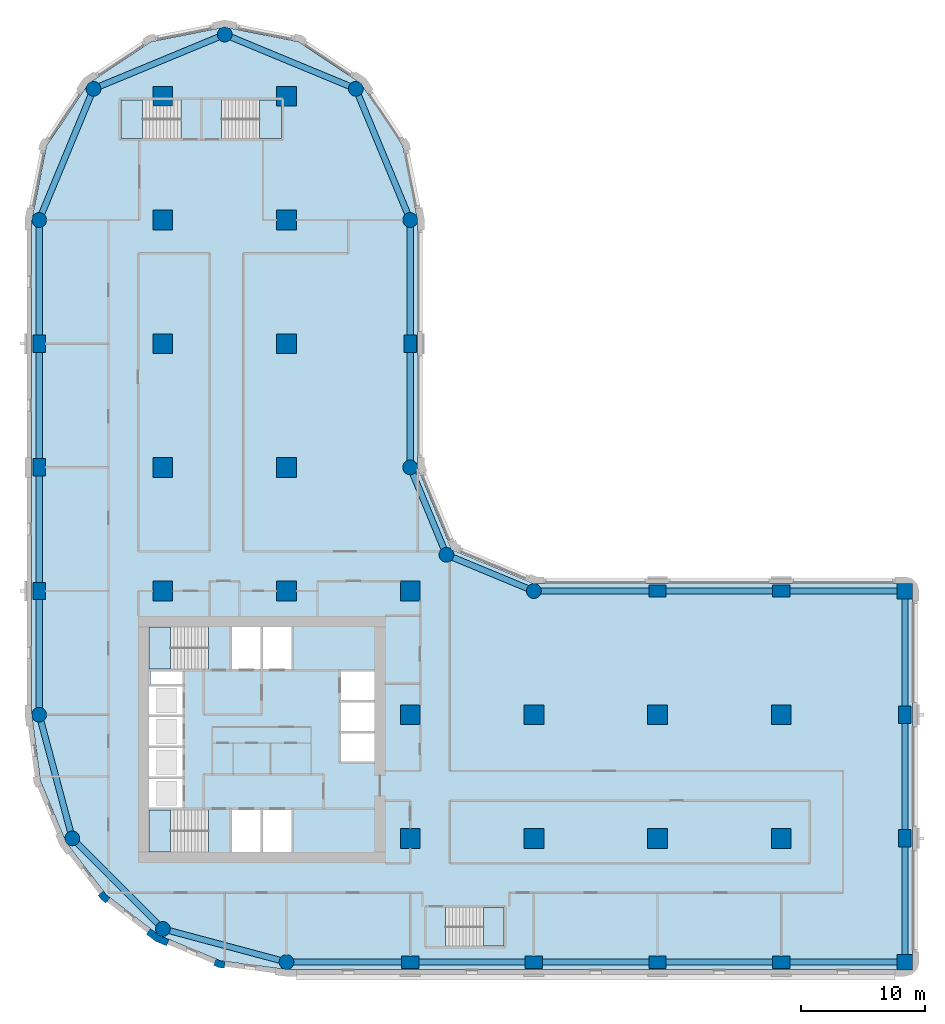
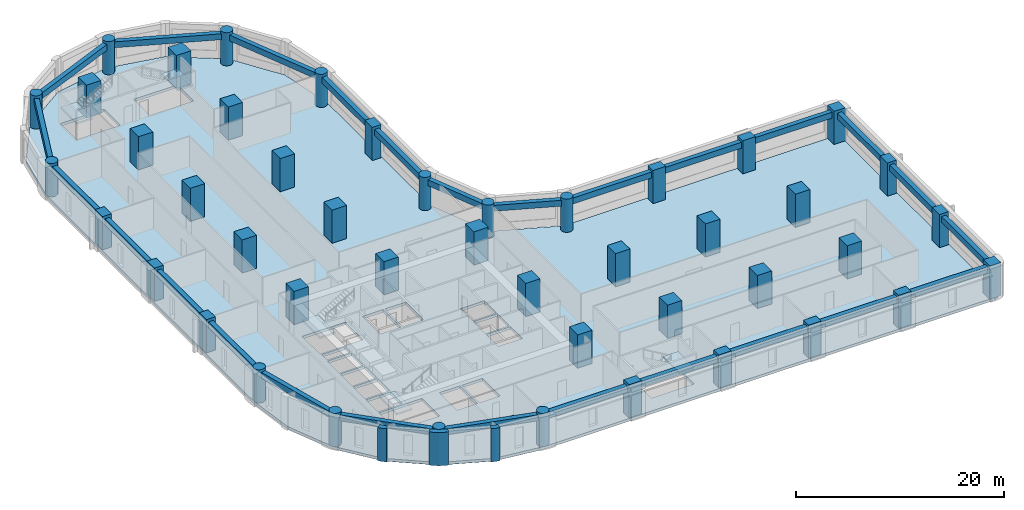
# One storey, part 1 of 10: 45 columns, 26 beams, 6 slabs, 3 walls, 5 elements without a shape of their own.
"""IFC4 building model written with IfcOpenShell, lengths in metres."""

from ifc_helpers import new_model, si_unit, direction, frame, origin, origin_2d, place, context, subcontext, project, spatial, polyline, rectangle, circle, outline, extrude, material, layer, layer_set, material_profile, profile_set, type_object, element, aggregate, save


model = new_model("IFC4")

# Units and contexts
model_context = context("Model", 3, precision=1e-05, world=origin(), true_north=direction((0.0, 1.0)))
body_context = subcontext(model_context, "Body", "Model", "MODEL_VIEW")
ifc_project = project(units=[si_unit("LENGTHUNIT", "METRE"), si_unit("AREAUNIT", "SQUARE_METRE"), si_unit("VOLUMEUNIT", "CUBIC_METRE"), si_unit("PLANEANGLEUNIT", "RADIAN"), si_unit("MASSUNIT", "GRAM", prefix="KILO")], contexts=[model_context])

# Site, building, storey
site_placement = place(None, origin())
site = spatial("IfcSite", under=ifc_project, at=site_placement, CompositionType="ELEMENT")
building_placement = place(site_placement, origin())
building = spatial("IfcBuilding", under=site, at=building_placement, Name="Qaws Garden Tower", CompositionType="ELEMENT")
storey_placement = place(building_placement, frame((0.0, 0.0, 54.89990234375)))
storey = spatial("IfcBuildingStorey", under=building, at=storey_placement, Name="L13", CompositionType="ELEMENT", Elevation=54.89990234375)

# Columns
ifc_material_1 = material(Name="Concrete C80", Category="concrete")
ifc_material_profile_1 = material_profile(ifc_material_1, rectangle(XDim=1.25, YDim=1.25, at=origin_2d()), Name="RC 1250x1250")
ifc_profile_set_1 = profile_set([ifc_material_profile_1], Name="Concrete C80")
column_type_1 = type_object("IfcColumnType", Name="Column RC 1250x1250 C80", PredefinedType="COLUMN", material=ifc_profile_set_1)
for number, where, z_axis, x_axis, name in (
    (1, (70.0, 0.0, 0.0), (0.0, 0.0, 1.0), (1.0, 0.0, 0.0), "Column L13-006"),
    (2, (70.0, 30.0, 0.0), (0.0, 0.0, 1.0), (1.0, 0.0, 0.0), "Column L13-009"),
):
    element("IfcColumn", number, at=place(storey_placement, frame(where, z_axis=z_axis, x_axis=x_axis)), inside=storey, type_object=column_type_1, Name=name, PredefinedType="COLUMN", context=body_context, shape_type="SweptSolid", body=[
        extrude(rectangle(XDim=1.25, YDim=1.25, at=origin_2d()), origin(), (0.0, 0.0, 1.0), 3.900146484375),
    ])
ifc_material_2 = material(Name="Concrete C80", Category="concrete")
ifc_material_profile_2 = material_profile(ifc_material_2, rectangle(XDim=1.39990234375, YDim=1.0, at=origin_2d()), Name="RC 1400x1000")
ifc_profile_set_2 = profile_set([ifc_material_profile_2], Name="Concrete C80")
column_type_2 = type_object("IfcColumnType", Name="Column RC 1400x1000 C80", PredefinedType="COLUMN", material=ifc_profile_set_2)
for number, where, z_axis, x_axis, name in (
    (3, (30.0, 0.0, 0.0), (0.0, 0.0, 1.0), (1.0, 0.0, 0.0), "Column L13-002"),
    (4, (40.0, 0.0, 0.0), (0.0, 0.0, 1.0), (1.0, 0.0, 0.0), "Column L13-003"),
    (5, (50.0, 0.0, 0.0), (0.0, 0.0, 1.0), (1.0, 0.0, 0.0), "Column L13-004"),
    (6, (60.0, 0.0, 0.0), (0.0, 0.0, 1.0), (1.0, 0.0, 0.0), "Column L13-005"),
    (7, (70.0, 10.0, 0.0), (0.0, 0.0, 1.0), (0.0, 1.0, 0.0), "Column L13-007"),
    (8, (70.0, 20.0, 0.0), (0.0, 0.0, 1.0), (0.0, 1.0, 0.0), "Column L13-008"),
    (9, (60.0, 30.0, 0.0), (0.0, 0.0, 1.0), (1.0, 0.0, 0.0), "Column L13-010"),
    (10, (50.0, 30.0, 0.0), (0.0, 0.0, 1.0), (1.0, 0.0, 0.0), "Column L13-011"),
    (11, (30.0, 50.0, 0.0), (0.0, 0.0, 1.0), (0.0, 1.0, 0.0), "Column L13-015"),
    (12, (0.0, 50.0, 0.0), (0.0, 0.0, 1.0), (0.0, 1.0, 0.0), "Column L13-021"),
    (13, (0.0, 40.0, 0.0), (0.0, 0.0, 1.0), (0.0, 1.0, 0.0), "Column L13-022"),
    (14, (0.0, 30.0, 0.0), (0.0, 0.0, 1.0), (0.0, 1.0, 0.0), "Column L13-023"),
):
    element("IfcColumn", number, at=place(storey_placement, frame(where, z_axis=z_axis, x_axis=x_axis)), inside=storey, type_object=column_type_2, Name=name, PredefinedType="COLUMN", context=body_context, shape_type="SweptSolid", body=[
        extrude(rectangle(XDim=1.39990234375, YDim=1.0, at=origin_2d()), origin(), (0.0, 0.0, 1.0), 3.900146484375),
    ])
ifc_material_3 = material(Name="Concrete C80", Category="concrete")
ifc_material_profile_3 = material_profile(ifc_material_3, rectangle(XDim=1.60009765625, YDim=1.60009765625, at=origin_2d()), Name="RC 1600x1600")
ifc_profile_set_3 = profile_set([ifc_material_profile_3], Name="Concrete C80")
column_type_3 = type_object("IfcColumnType", Name="Column RC 1600x1600 C80", PredefinedType="COLUMN", material=ifc_profile_set_3)
for number, where, z_axis, x_axis, name in (
    (15, (10.0, 30.0, 0.0), (0.0, 0.0, 1.0), (1.0, 0.0, 0.0), "Column L13-027"),
    (16, (10.0, 40.0, 0.0), (0.0, 0.0, 1.0), (1.0, 0.0, 0.0), "Column L13-028"),
    (17, (10.0, 50.0, 0.0), (0.0, 0.0, 1.0), (1.0, 0.0, 0.0), "Column L13-029"),
    (18, (10.0, 60.0, 0.0), (0.0, 0.0, 1.0), (1.0, 0.0, 0.0), "Column L13-030"),
    (19, (10.0, 70.0, 0.0), (0.0, 0.0, 1.0), (1.0, 0.0, 0.0), "Column L13-031"),
    (20, (20.0, 30.0, 0.0), (0.0, 0.0, 1.0), (1.0, 0.0, 0.0), "Column L13-032"),
    (21, (20.0, 40.0, 0.0), (0.0, 0.0, 1.0), (1.0, 0.0, 0.0), "Column L13-033"),
    (22, (20.0, 50.0, 0.0), (0.0, 0.0, 1.0), (1.0, 0.0, 0.0), "Column L13-034"),
    (23, (20.0, 60.0, 0.0), (0.0, 0.0, 1.0), (1.0, 0.0, 0.0), "Column L13-035"),
    (24, (20.0, 70.0, 0.0), (0.0, 0.0, 1.0), (1.0, 0.0, 0.0), "Column L13-036"),
    (25, (30.0, 10.0, 0.0), (0.0, 0.0, 1.0), (1.0, 0.0, 0.0), "Column L13-037"),
    (26, (30.0, 20.0, 0.0), (0.0, 0.0, 1.0), (1.0, 0.0, 0.0), "Column L13-038"),
    (27, (30.0, 30.0, 0.0), (0.0, 0.0, 1.0), (1.0, 0.0, 0.0), "Column L13-039"),
    (28, (40.0, 10.0, 0.0), (0.0, 0.0, 1.0), (1.0, 0.0, 0.0), "Column L13-040"),
    (29, (40.0, 20.0, 0.0), (0.0, 0.0, 1.0), (1.0, 0.0, 0.0), "Column L13-041"),
    (30, (50.0, 10.0, 0.0), (0.0, 0.0, 1.0), (1.0, 0.0, 0.0), "Column L13-042"),
    (31, (50.0, 20.0, 0.0), (0.0, 0.0, 1.0), (1.0, 0.0, 0.0), "Column L13-043"),
    (32, (60.0, 10.0, 0.0), (0.0, 0.0, 1.0), (1.0, 0.0, 0.0), "Column L13-044"),
    (33, (60.0, 20.0, 0.0), (0.0, 0.0, 1.0), (1.0, 0.0, 0.0), "Column L13-045"),
):
    element("IfcColumn", number, at=place(storey_placement, frame(where, z_axis=z_axis, x_axis=x_axis)), inside=storey, type_object=column_type_3, Name=name, PredefinedType="COLUMN", context=body_context, shape_type="SweptSolid", body=[
        extrude(rectangle(XDim=1.60009765625, YDim=1.60009765625, at=origin_2d()), origin(), (0.0, 0.0, 1.0), 3.900146484375),
    ])
ifc_material_4 = material(Name="Concrete C80", Category="concrete")
ifc_material_profile_4 = material_profile(ifc_material_4, circle(Radius=0.60009765625, at=origin_2d()), Name="RC D1200")
ifc_profile_set_4 = profile_set([ifc_material_profile_4], Name="Concrete C80")
column_type_4 = type_object("IfcColumnType", Name="Column RC D1200 C80", PredefinedType="COLUMN", material=ifc_profile_set_4)
for number, where, z_axis, x_axis, name in (
    (34, (20.0, 0.0, 0.0), (0.0, 0.0, 1.0), (1.0, 0.0, 0.0), "Column L13-001"),
    (35, (40.0, 30.0, 0.0), (0.0, 0.0, 1.0), (1.0, 0.0, 0.0), "Column L13-012"),
    (36, (32.928955078125, 32.928955078125, 0.0), (0.0, 0.0, 1.0), (1.0, 0.0, 0.0), "Column L13-013"),
    (37, (30.0, 40.0, 0.0), (0.0, 0.0, 1.0), (1.0, 0.0, 0.0), "Column L13-014"),
    (38, (30.0, 60.0, 0.0), (0.0, 0.0, 1.0), (1.0, 0.0, 0.0), "Column L13-016"),
    (39, (25.606689453125, 70.606689453125, 0.0), (0.0, 0.0, 1.0), (1.0, 0.0, 0.0), "Column L13-017"),
    (40, (15.0, 75.0, 0.0), (0.0, 0.0, 1.0), (1.0, 0.0, 0.0), "Column L13-018"),
    (41, (4.393310546875, 70.606689453125, 0.0), (0.0, 0.0, 1.0), (1.0, 0.0, 0.0), "Column L13-019"),
    (42, (0.0, 60.0, 0.0), (0.0, 0.0, 1.0), (1.0, 0.0, 0.0), "Column L13-020"),
    (43, (0.0, 20.0, 0.0), (0.0, 0.0, 1.0), (1.0, 0.0, 0.0), "Column L13-024"),
    (44, (2.679443359375, 10.0, 0.0), (0.0, 0.0, 1.0), (1.0, 0.0, 0.0), "Column L13-025"),
    (45, (10.0, 2.679443359375, 0.0), (0.0, 0.0, 1.0), (1.0, 0.0, 0.0), "Column L13-026"),
):
    element("IfcColumn", number, at=place(storey_placement, frame(where, z_axis=z_axis, x_axis=x_axis)), inside=storey, type_object=column_type_4, Name=name, PredefinedType="COLUMN", context=body_context, shape_type="SweptSolid", body=[
        extrude(circle(Radius=0.60009765625, at=origin_2d()), origin(), (0.0, 0.0, 1.0), 3.900146484375),
    ])

# Beams
ifc_material_5 = material(Name="Concrete C45", Category="concrete")
ifc_material_profile_5 = material_profile(ifc_material_5, rectangle(XDim=0.5, YDim=0.699951171875, at=origin_2d()), Name="RC 500x700")
ifc_profile_set_5 = profile_set([ifc_material_profile_5], Name="Concrete C45")
beam_type = type_object("IfcBeamType", Name="Spandrel beam RC 500x700 C45", PredefinedType="SPANDREL", material=ifc_profile_set_5)
for number, where, z_axis, x_axis, name in (
    (46, (20.0, 0.0, 3.22998046875), (1.0, 0.0, 0.0), (0.0, 1.0, 0.0), "Spandrel beam L13-001"),
    (47, (30.0, 0.0, 3.22998046875), (1.0, 0.0, 0.0), (0.0, 1.0, 0.0), "Spandrel beam L13-002"),
    (48, (40.0, 0.0, 3.22998046875), (1.0, 0.0, 0.0), (0.0, 1.0, 0.0), "Spandrel beam L13-003"),
    (49, (50.0, 0.0, 3.22998046875), (1.0, 0.0, 0.0), (0.0, 1.0, 0.0), "Spandrel beam L13-004"),
    (50, (60.0, 0.0, 3.22998046875), (1.0, 0.0, 0.0), (0.0, 1.0, 0.0), "Spandrel beam L13-005"),
    (51, (70.0, 0.0, 3.22998046875), (0.0, 1.0, 0.0), (-1.0, 0.0, 0.0), "Spandrel beam L13-006"),
    (52, (70.0, 10.0, 3.22998046875), (0.0, 1.0, 0.0), (-1.0, 0.0, 0.0), "Spandrel beam L13-007"),
    (53, (70.0, 20.0, 3.22998046875), (0.0, 1.0, 0.0), (-1.0, 0.0, 0.0), "Spandrel beam L13-008"),
    (54, (70.0, 30.0, 3.22998046875), (-1.0, 0.0, 0.0), (0.0, -1.0, 0.0), "Spandrel beam L13-009"),
    (55, (60.0, 30.0, 3.22998046875), (-1.0, 0.0, 0.0), (0.0, -1.0, 0.0), "Spandrel beam L13-010"),
    (56, (50.0, 30.0, 3.22998046875), (-1.0, 0.0, 0.0), (0.0, -1.0, 0.0), "Spandrel beam L13-011"),
):
    element("IfcBeam", number, at=place(storey_placement, frame(where, z_axis=z_axis, x_axis=x_axis)), inside=storey, type_object=beam_type, Name=name, PredefinedType="SPANDREL", context=body_context, shape_type="SweptSolid", body=[
        extrude(rectangle(XDim=0.5, YDim=0.699951171875, at=origin_2d()), origin(), (0.0, 0.0, 1.0), 10.0),
    ])
for number, where, z_axis, x_axis, name in (
    (57, (40.0, 30.0, 3.22998046875), (-0.923878037141, 0.382687042488, 0.0), (-0.382687042488, -0.923878037141, 0.0), "Spandrel beam L13-012"),
    (58, (32.928955078125, 32.928955078125, 3.22998046875), (-0.382687042488, 0.923878037141, 0.0), (-0.923878037141, -0.382687042488, 0.0), "Spandrel beam L13-013"),
):
    element("IfcBeam", number, at=place(storey_placement, frame(where, z_axis=z_axis, x_axis=x_axis)), inside=storey, type_object=beam_type, Name=name, PredefinedType="SPANDREL", context=body_context, shape_type="SweptSolid", body=[
        extrude(rectangle(XDim=0.5, YDim=0.699951171875, at=origin_2d()), origin(), (0.0, 0.0, 1.0), 7.653564453125),
    ])
for number, where, z_axis, x_axis, name in (
    (59, (30.0, 40.0, 3.22998046875), (0.0, 1.0, 0.0), (-1.0, 0.0, 0.0), "Spandrel beam L13-014"),
    (60, (30.0, 50.0, 3.22998046875), (0.0, 1.0, 0.0), (-1.0, 0.0, 0.0), "Spandrel beam L13-015"),
):
    element("IfcBeam", number, at=place(storey_placement, frame(where, z_axis=z_axis, x_axis=x_axis)), inside=storey, type_object=beam_type, Name=name, PredefinedType="SPANDREL", context=body_context, shape_type="SweptSolid", body=[
        extrude(rectangle(XDim=0.5, YDim=0.699951171875, at=origin_2d()), origin(), (0.0, 0.0, 1.0), 10.0),
    ])
for number, where, z_axis, x_axis, name in (
    (61, (30.0, 60.0, 3.22998046875), (-0.382674207535, 0.923883353507, 0.0), (-0.923883353507, -0.382674207535, 0.0), "Spandrel beam L13-016"),
    (62, (25.606689453125, 70.606689453125, 3.22998046875), (-0.923883353507, 0.382674207535, 0.0), (-0.382674207535, -0.923883353507, 0.0), "Spandrel beam L13-017"),
    (63, (15.0, 75.0, 3.22998046875), (-0.923883353507, -0.382674207535, 0.0), (0.382674207535, -0.923883353507, 0.0), "Spandrel beam L13-018"),
    (64, (4.393310546875, 70.606689453125, 3.22998046875), (-0.382674207535, -0.923883353507, 0.0), (0.923883353507, -0.382674207535, 0.0), "Spandrel beam L13-019"),
):
    element("IfcBeam", number, at=place(storey_placement, frame(where, z_axis=z_axis, x_axis=x_axis)), inside=storey, type_object=beam_type, Name=name, PredefinedType="SPANDREL", context=body_context, shape_type="SweptSolid", body=[
        extrude(rectangle(XDim=0.5, YDim=0.699951171875, at=origin_2d()), origin(), (0.0, 0.0, 1.0), 11.48046875),
    ])
for number, where, z_axis, x_axis, name in (
    (65, (0.0, 60.0, 3.22998046875), (0.0, -1.0, 0.0), (1.0, 0.0, 0.0), "Spandrel beam L13-020"),
    (66, (0.0, 50.0, 3.22998046875), (0.0, -1.0, 0.0), (1.0, 0.0, 0.0), "Spandrel beam L13-021"),
    (67, (0.0, 40.0, 3.22998046875), (0.0, -1.0, 0.0), (1.0, 0.0, 0.0), "Spandrel beam L13-022"),
    (68, (0.0, 30.0, 3.22998046875), (0.0, -1.0, 0.0), (1.0, 0.0, 0.0), "Spandrel beam L13-023"),
):
    element("IfcBeam", number, at=place(storey_placement, frame(where, z_axis=z_axis, x_axis=x_axis)), inside=storey, type_object=beam_type, Name=name, PredefinedType="SPANDREL", context=body_context, shape_type="SweptSolid", body=[
        extrude(rectangle(XDim=0.5, YDim=0.699951171875, at=origin_2d()), origin(), (0.0, 0.0, 1.0), 10.0),
    ])
for number, where, z_axis, x_axis, name in (
    (69, (0.0, 20.0, 3.22998046875), (0.25881466832, -0.965926999034, 0.0), (0.965926999034, 0.25881466832, 0.0), "Spandrel beam L13-024"),
    (70, (2.679443359375, 10.0, 3.22998046875), (0.707106781187, -0.707106781187, 0.0), (0.707106781187, 0.707106781187, 0.0), "Spandrel beam L13-025"),
    (71, (10.0, 2.679443359375, 3.22998046875), (0.965926999034, -0.25881466832, 0.0), (0.25881466832, 0.965926999034, 0.0), "Spandrel beam L13-026"),
):
    element("IfcBeam", number, at=place(storey_placement, frame(where, z_axis=z_axis, x_axis=x_axis)), inside=storey, type_object=beam_type, Name=name, PredefinedType="SPANDREL", context=body_context, shape_type="SweptSolid", body=[
        extrude(rectangle(XDim=0.5, YDim=0.699951171875, at=origin_2d()), origin(), (0.0, 0.0, 1.0), 10.352783203125),
    ])

# Slab
ifc_material_6 = material(Name="Concrete C40", Category="concrete")
ifc_layer_1 = layer(ifc_material_6, 0.320068359375)
ifc_layer_set_1 = layer_set([ifc_layer_1], Name="Concrete C40")
slab_type_1 = type_object("IfcSlabType", Name="Floor slab 320 C40", PredefinedType="FLOOR", material=ifc_layer_set_1)
slab_1_placement = place(storey_placement, frame((0.0, 0.0, -0.31982421875)))
element("IfcSlab", 72, at=slab_1_placement, inside=storey, type_object=slab_type_1, Name="Floor slab L13", PredefinedType="FLOOR", context=body_context, shape_type="SweptSolid", body=[
    extrude(outline(polyline([(0.101806640625, 14.668212890625), (-0.60009765625, 20.0), (-0.60009765625, 30.60009765625), (-0.60009765625, 60.0), (-0.60009765625, 60.0), (0.58740234375, 65.969970703125), (3.968994140625, 71.031005859375), (9.030029296875, 74.41259765625), (15.0, 75.60009765625), (20.969970703125, 74.41259765625), (26.031005859375, 71.031005859375), (29.41259765625, 65.969970703125), (30.60009765625, 60.0), (30.60009765625, 40.0), (33.353271484375, 33.353271484375), (40.0, 30.60009765625), (70.0, 30.60009765625), (70.42431640625, 30.42431640625), (70.60009765625, 30.0), (70.60009765625, 0.0), (70.42431640625, -0.42431640625), (70.0, -0.60009765625), (30.60009765625, -0.60009765625), (20.0, -0.60009765625), (14.668212890625, 0.101806640625), (9.699951171875, 2.159912109375), (5.43359375, 5.43359375), (2.159912109375, 9.699951171875), (0.101806640625, 14.668212890625)]), holes=[polyline([(13.699462890625, 12.300048828125), (8.89990234375, 12.300048828125), (8.89990234375, 8.89990234375), (13.699462890625, 8.89990234375), (13.699462890625, 12.300048828125)]), polyline([(17.89990234375, 12.300048828125), (15.60009765625, 12.300048828125), (15.60009765625, 8.89990234375), (17.89990234375, 8.89990234375), (17.89990234375, 12.300048828125)]), polyline([(11.60009765625, 14.800048828125), (8.89990234375, 14.800048828125), (8.89990234375, 12.5), (11.60009765625, 12.5), (11.60009765625, 14.800048828125)]), polyline([(11.60009765625, 17.300048828125), (8.89990234375, 17.300048828125), (8.89990234375, 15.0), (11.60009765625, 15.0), (11.60009765625, 17.300048828125)]), polyline([(11.60009765625, 19.800048828125), (8.89990234375, 19.800048828125), (8.89990234375, 17.5), (11.60009765625, 17.5), (11.60009765625, 19.800048828125)]), polyline([(11.60009765625, 22.300048828125), (8.89990234375, 22.300048828125), (8.89990234375, 20.0), (11.60009765625, 20.0), (11.60009765625, 22.300048828125)]), polyline([(11.60009765625, 23.5), (9.0, 23.5), (9.0, 22.5), (11.60009765625, 22.5), (11.60009765625, 23.5)]), polyline([(13.699462890625, 27.10009765625), (8.89990234375, 27.10009765625), (8.89990234375, 23.699951171875), (13.699462890625, 23.699951171875), (13.699462890625, 27.10009765625)]), polyline([(11.449462890625, 69.699951171875), (6.60009765625, 69.699951171875), (6.60009765625, 66.60009765625), (11.449462890625, 66.60009765625), (11.449462890625, 69.699951171875)]), polyline([(37.60009765625, 4.39990234375), (32.8505859375, 4.39990234375), (32.8505859375, 1.300048828125), (37.60009765625, 1.300048828125), (37.60009765625, 4.39990234375)]), polyline([(20.39990234375, 12.300048828125), (18.10009765625, 12.300048828125), (18.10009765625, 8.89990234375), (20.39990234375, 8.89990234375), (20.39990234375, 12.300048828125)]), polyline([(27.10009765625, 18.5), (24.39990234375, 18.5), (24.39990234375, 16.199951171875), (27.10009765625, 16.199951171875), (27.10009765625, 18.5)]), polyline([(27.10009765625, 21.0), (24.39990234375, 21.0), (24.39990234375, 18.699951171875), (27.10009765625, 18.699951171875), (27.10009765625, 21.0)]), polyline([(27.10009765625, 23.5), (24.39990234375, 23.5), (24.39990234375, 21.199951171875), (27.10009765625, 21.199951171875), (27.10009765625, 23.5)]), polyline([(17.89990234375, 27.10009765625), (15.60009765625, 27.10009765625), (15.60009765625, 23.699951171875), (17.89990234375, 23.699951171875), (17.89990234375, 27.10009765625)]), polyline([(20.39990234375, 23.699951171875), (20.39990234375, 27.10009765625), (18.10009765625, 27.10009765625), (18.10009765625, 23.699951171875), (20.39990234375, 23.699951171875)]), polyline([(19.60009765625, 66.60009765625), (19.60009765625, 69.699951171875), (14.75048828125, 69.699951171875), (14.75048828125, 66.60009765625), (19.60009765625, 66.60009765625)])]), origin(), (0.0, 0.0, 1.0), 0.31982421875),
])

# Stair, slab
ifc_material_7 = material(Name="Concrete C40", Category="concrete")
stair_type_1 = type_object("IfcStairType", Name="Exit stair 1500", PredefinedType="HALF_TURN_STAIR", material=ifc_material_7)
placement_1 = place(storey_placement, origin())
stair_1 = element("IfcStair", 73, at=placement_1, inside=storey, type_object=stair_type_1, Name="Stair 1", PredefinedType="HALF_TURN_STAIR")
ifc_material_8 = material(Name="Concrete C40", Category="concrete")
ifc_layer_2 = layer(ifc_material_8, 0.199951171875)
ifc_layer_set_2 = layer_set([ifc_layer_2], Name="Concrete C40")
slab_type_2 = type_object("IfcSlabType", Name="Stair landing 200", PredefinedType="LANDING", material=ifc_layer_set_2)
placement_2 = place(storey_placement, frame((0.0, 0.0, 1.75)))
slab_2 = element("IfcSlab", 74, at=placement_2, type_object=slab_type_2, Name="ST1 landing 1", PredefinedType="LANDING", context=body_context, shape_type="SweptSolid", body=[
    extrude(outline(polyline([(8.89990234375, 8.89990234375), (10.6201171875, 8.89990234375), (10.6201171875, 12.300048828125), (8.89990234375, 12.300048828125), (8.89990234375, 8.89990234375)])), origin(), (0.0, 0.0, 1.0), 0.2001953125),
])
aggregate(stair_1, [slab_2])

stair_2 = element("IfcStair", 75, at=placement_1, inside=storey, type_object=stair_type_1, Name="Stair 4", PredefinedType="HALF_TURN_STAIR")
slab_3 = element("IfcSlab", 76, at=placement_2, type_object=slab_type_2, Name="ST4 landing 1", PredefinedType="LANDING", context=body_context, shape_type="SweptSolid", body=[
    extrude(outline(polyline([(8.89990234375, 23.699951171875), (10.6201171875, 23.699951171875), (10.6201171875, 27.10009765625), (8.89990234375, 27.10009765625), (8.89990234375, 23.699951171875)])), origin(), (0.0, 0.0, 1.0), 0.2001953125),
])
aggregate(stair_2, [slab_3])

ifc_material_9 = material(Name="Concrete C40", Category="concrete")
stair_type_2 = type_object("IfcStairType", Name="Exit stair 1350", PredefinedType="HALF_TURN_STAIR", material=ifc_material_9)
stair_3 = element("IfcStair", 77, at=placement_1, inside=storey, type_object=stair_type_2, Name="Stair 5", PredefinedType="HALF_TURN_STAIR")
slab_4 = element("IfcSlab", 78, at=placement_2, type_object=slab_type_2, Name="ST5 landing 1", PredefinedType="LANDING", context=body_context, shape_type="SweptSolid", body=[
    extrude(outline(polyline([(35.929931640625, 1.300048828125), (37.60009765625, 1.300048828125), (37.60009765625, 4.39990234375), (35.929931640625, 4.39990234375), (35.929931640625, 1.300048828125)])), origin(), (0.0, 0.0, 1.0), 0.2001953125),
])
aggregate(stair_3, [slab_4])

stair_4 = element("IfcStair", 79, at=placement_1, inside=storey, type_object=stair_type_2, Name="Stair 6", PredefinedType="HALF_TURN_STAIR")
slab_5 = element("IfcSlab", 80, at=placement_2, type_object=slab_type_2, Name="ST6 landing 1", PredefinedType="LANDING", context=body_context, shape_type="SweptSolid", body=[
    extrude(outline(polyline([(6.60009765625, 66.60009765625), (8.3701171875, 66.60009765625), (8.3701171875, 69.699951171875), (6.60009765625, 69.699951171875), (6.60009765625, 66.60009765625)])), origin(), (0.0, 0.0, 1.0), 0.2001953125),
])
aggregate(stair_4, [slab_5])

stair_5 = element("IfcStair", 81, at=placement_1, inside=storey, type_object=stair_type_2, Name="Stair 7", PredefinedType="HALF_TURN_STAIR")
slab_6 = element("IfcSlab", 82, at=placement_2, type_object=slab_type_2, Name="ST7 landing 1", PredefinedType="LANDING", context=body_context, shape_type="SweptSolid", body=[
    extrude(outline(polyline([(17.830078125, 66.60009765625), (19.60009765625, 66.60009765625), (19.60009765625, 69.699951171875), (17.830078125, 69.699951171875), (17.830078125, 66.60009765625)])), origin(), (0.0, 0.0, 1.0), 0.2001953125),
])
aggregate(stair_5, [slab_6])

# Walls
ifc_material_10 = material(Name="Clay facing brick masonry", Category="masonry")
ifc_layer_3 = layer(ifc_material_10, 0.550048828125)
ifc_layer_set_3 = layer_set([ifc_layer_3], Name="Clay facing brick masonry")
wall_type_1 = type_object("IfcWallType", Name="Brick kink pier 550 x 600", PredefinedType="SOLIDWALL", material=ifc_layer_set_3)
element("IfcWall", 83, at=placement_1, inside=storey, type_object=wall_type_1, Name="E-L13-pier-30", PredefinedType="SOLIDWALL", context=body_context, shape_type="SweptSolid", body=[
    extrude(outline(polyline([(4.8818359375, 5.487060546875), (4.762939453125, 5.395751953125), (5.03759765625, 5.03759765625), (5.395751953125, 4.762939453125), (5.487060546875, 4.8818359375), (5.730712890625, 5.19921875), (5.429931640625, 5.429931640625), (5.19921875, 5.730712890625), (4.8818359375, 5.487060546875)])), origin(), (0.0, 0.0, 1.0), 3.900146484375),
])
element("IfcWall", 84, at=placement_1, inside=storey, type_object=wall_type_1, Name="E-L13-pier-32", PredefinedType="SOLIDWALL", context=body_context, shape_type="SweptSolid", body=[
    extrude(outline(polyline([(14.163818359375, -0.127685546875), (14.1064453125, -0.26611328125), (14.5234375, -0.43896484375), (14.970947265625, -0.497802734375), (14.990478515625, -0.34912109375), (15.042724609375, 0.04736328125), (14.6669921875, 0.096923828125), (14.31689453125, 0.241943359375), (14.163818359375, -0.127685546875)])), origin(), (0.0, 0.0, 1.0), 3.900146484375),
])
ifc_material_11 = material(Name="Clay facing brick masonry", Category="masonry")
ifc_layer_4 = layer(ifc_material_11, 0.550048828125)
ifc_layer_set_4 = layer_set([ifc_layer_4], Name="Clay facing brick masonry")
wall_type_2 = type_object("IfcWallType", Name="Brick pier 550 x 1600", PredefinedType="SOLIDWALL", material=ifc_layer_set_4)
element("IfcWall", 85, at=placement_1, inside=storey, type_object=wall_type_2, Name="E-L13-pier-31", PredefinedType="SOLIDWALL", context=body_context, shape_type="SweptSolid", body=[
    extrude(outline(polyline([(8.756591796875, 2.373046875), (8.665283203125, 2.254150390625), (9.419921875, 1.675048828125), (10.299072265625, 1.310791015625), (10.3564453125, 1.449462890625), (10.509521484375, 1.819091796875), (9.697509765625, 2.1552734375), (9.0, 2.6904296875), (8.756591796875, 2.373046875)])), origin(), (0.0, 0.0, 1.0), 3.900146484375),
])

save(model, "model.ifc")
